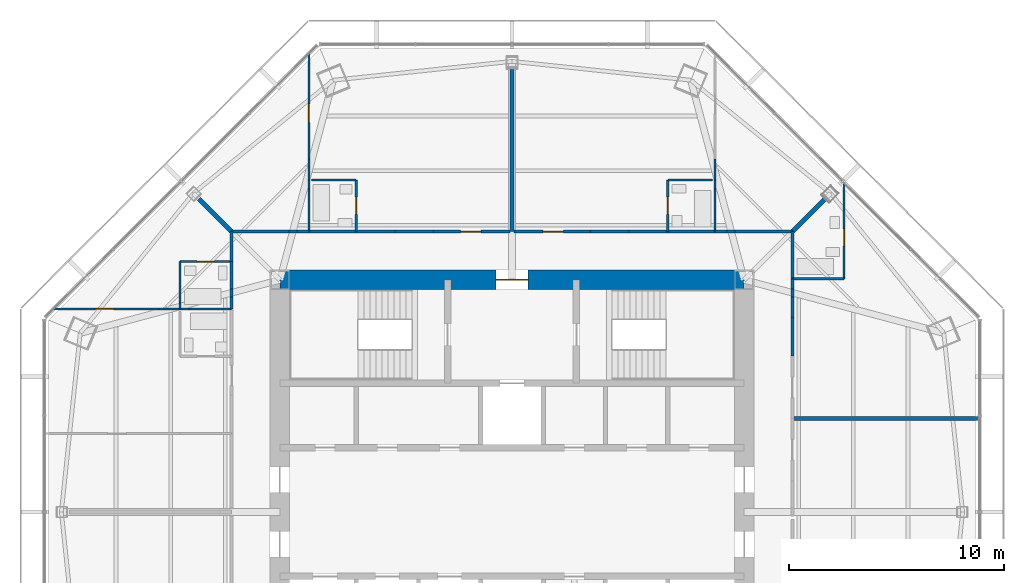
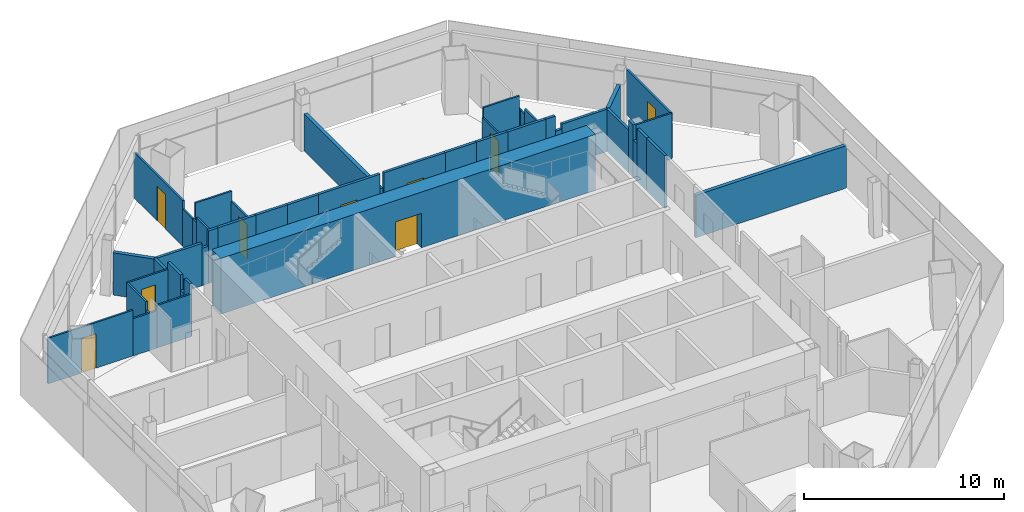
# One storey, part 12 of 15: 47 walls, 9 doors, 9 openings.
"""IFC4 building model written with IfcOpenShell, lengths in metres."""

from ifc_helpers import new_model, si_unit, direction, frame, frame_2d, origin, place, context, subcontext, project, spatial, rectangle, extrude, material, layer, layer_set, type_object, element, fill, save


model = new_model("IFC4")

# Units and contexts
model_context = context("Model", 3, precision=1e-05, world=origin(), true_north=direction((0.0, 1.0)))
body_context = subcontext(model_context, "Body", "Model", "MODEL_VIEW")
ifc_project = project(units=[si_unit("LENGTHUNIT", "METRE"), si_unit("AREAUNIT", "SQUARE_METRE"), si_unit("VOLUMEUNIT", "CUBIC_METRE"), si_unit("PLANEANGLEUNIT", "RADIAN"), si_unit("MASSUNIT", "GRAM", prefix="KILO")], contexts=[model_context])

# Site, building, storey
site_placement = place(None, origin())
site = spatial("IfcSite", under=ifc_project, at=site_placement, CompositionType="ELEMENT")
building_placement = place(site_placement, origin())
building = spatial("IfcBuilding", under=site, at=building_placement, Name="Mashrafa Tower", CompositionType="ELEMENT")
storey_placement = place(building_placement, frame((0.0, 0.0, 221.0)))
storey = spatial("IfcBuildingStorey", under=building, at=storey_placement, Name="L51", CompositionType="ELEMENT", Elevation=221.0)

# Walls
ifc_material_1 = material(Name="Gypsum board on steel studs", Category="steel")
ifc_layer_1 = layer(ifc_material_1, 0.199951171875)
ifc_layer_set_1 = layer_set([ifc_layer_1], Name="Acoustic partition 200 1 hr")
wall_type_1 = type_object("IfcWallType", Name="Acoustic partition 200 1 hr", PredefinedType="PARTITIONING", material=ifc_layer_set_1)
wall_1_placement = place(storey_placement, frame((21.744873046875, 4.35009765625, 0.0), z_axis=(0.0, 0.0, 1.0), x_axis=(-1.0, 0.0, 0.0)))
element("IfcWall", 1, at=wall_1_placement, inside=storey, type_object=wall_type_1, Name="Acoustic wall L51-068", PredefinedType="PARTITIONING", context=body_context, shape_type="SweptSolid", body=[
    extrude(rectangle(XDim=8.69482421875, YDim=0.199951171875, at=frame_2d((4.347412109375, 0.0))), origin(), (0.0, 0.0, 1.0), 2.590576171875),
])
wall_2_placement = place(storey_placement, frame((14.564697265625, 14.564697265625, 0.0), z_axis=(0.0, 0.0, 1.0), x_axis=(-0.707106781187, -0.707106781187, 0.0)))
element("IfcWall", 2, at=wall_2_placement, inside=storey, type_object=wall_type_1, Name="Acoustic wall L51-071", PredefinedType="PARTITIONING", context=body_context, shape_type="SweptSolid", body=[
    extrude(rectangle(XDim=2.14208984375, YDim=0.199951171875, at=frame_2d((1.071044921875, 0.0))), origin(), (0.0, 0.0, 1.0), 2.577880859375),
])
wall_3_placement = place(storey_placement, frame((0.0, 20.59765625, 0.0), z_axis=(0.0, 0.0, 1.0), x_axis=(0.0, -1.0, 0.0)))
element("IfcWall", 3, at=wall_3_placement, inside=storey, type_object=wall_type_1, Name="Acoustic wall L51-078", PredefinedType="PARTITIONING", context=body_context, shape_type="SweptSolid", body=[
    extrude(rectangle(XDim=7.547607421875, YDim=0.199951171875, at=frame_2d((3.77392578125, 0.0))), origin(), (0.0, 0.0, 1.0), 2.2529296875),
])
wall_4_placement = place(storey_placement, frame((-14.564697265625, 14.564697265625, 0.0), z_axis=(0.0, 0.0, 1.0), x_axis=(0.707106781187, -0.707106781187, 0.0)))
element("IfcWall", 4, at=wall_4_placement, inside=storey, type_object=wall_type_1, Name="Acoustic wall L51-083", PredefinedType="PARTITIONING", context=body_context, shape_type="SweptSolid", body=[
    extrude(rectangle(XDim=2.14208984375, YDim=0.199951171875, at=frame_2d((1.071044921875, 0.0))), origin(), (0.0, 0.0, 1.0), 2.577880859375),
])

# Wall, opening, door
ifc_material_2 = material(Name="Concrete C50/60", Category="concrete")
ifc_layer_2 = layer(ifc_material_2, 0.89990234375)
ifc_layer_set_2 = layer_set([ifc_layer_2], Name="Core wall 900 C50/60")
wall_type_2 = type_object("IfcWallType", Name="Core wall 900 C50/60", PredefinedType="SOLIDWALL", material=ifc_layer_set_2)
wall_5_placement = place(storey_placement, frame((10.800048828125, 10.800048828125, 0.0), z_axis=(0.0, 0.0, 1.0), x_axis=(-1.0, 0.0, 0.0)))
wall_5 = element("IfcWall", 5, at=wall_5_placement, inside=storey, type_object=wall_type_2, Name="Core wall CW-N L51", PredefinedType="SOLIDWALL", context=body_context, shape_type="SweptSolid", body=[
    extrude(rectangle(XDim=21.60009765625, YDim=0.89990234375, at=frame_2d((10.800048828125, 0.0))), origin(), (0.0, 0.0, 1.0), 3.39990234375),
])
opening_1_placement = place(wall_5_placement, frame((10.050048828125, 0.0, 0.0)))
opening_1 = element("IfcOpeningElement", 6, at=opening_1_placement, cuts=wall_5, Name="Opening 51.034", PredefinedType="OPENING", context=body_context, shape_type="SweptSolid", body=[
    extrude(rectangle(XDim=1.5, YDim=2.10009765625, at=frame_2d((0.75, 1.050048828125))), frame((0.0, 0.4599609375, 0.0), z_axis=(0.0, -1.0, 0.0), x_axis=(1.0, 0.0, 0.0)), (0.0, 0.0, 1.0), 0.919921875),
])
ifc_material_3 = material(Name="Steel door", Category="steel")
door_type_1 = type_object("IfcDoorType", Name="Lobby door pair 1500 x 2100 90 min", OperationType="DOUBLE_DOOR_SINGLE_SWING", PredefinedType="DOOR", material=ifc_material_3)
door_1_placement = place(opening_1_placement, origin())
door_1 = element("IfcDoor", 7, at=door_1_placement, inside=storey, type_object=door_type_1, Name="Fire-fighting lobby F1 door L51", OperationType="DOUBLE_DOOR_SINGLE_SWING", OverallHeight=2.10009765625, OverallWidth=1.5, PredefinedType="DOOR", context=body_context, shape_type="SweptSolid", body=[
    extrude(rectangle(XDim=1.5, YDim=2.10009765625, at=frame_2d((0.75, 1.050048828125))), frame((0.0, 0.02490234375, 0.0), z_axis=(0.0, -1.0, 0.0), x_axis=(1.0, 0.0, 0.0)), (0.0, 0.0, 1.0), 0.050048828125),
])
fill(opening_1, door_1)

# Walls
ifc_material_4 = material(Name="Gypsum board on steel studs", Category="steel")
ifc_layer_3 = layer(ifc_material_4, 0.14990234375)
ifc_layer_set_3 = layer_set([ifc_layer_3], Name="Corridor partition 150 1 hr")
wall_type_3 = type_object("IfcWallType", Name="Corridor partition 150 1 hr", PredefinedType="PARTITIONING", material=ifc_layer_set_3)
wall_6_placement = place(storey_placement, frame((13.050048828125, 10.84912109375, 0.0), z_axis=(0.0, 0.0, 1.0), x_axis=(0.0, 1.0, 0.0)))
element("IfcWall", 8, at=wall_6_placement, inside=storey, type_object=wall_type_3, Name="Corridor wall L51-012", PredefinedType="PARTITIONING", context=body_context, shape_type="SweptSolid", body=[
    extrude(rectangle(XDim=2.200927734375, YDim=0.14990234375, at=frame_2d((1.1005859375, 0.0))), origin(), (0.0, 0.0, 1.0), 2.577880859375),
])
wall_7_placement = place(storey_placement, frame((13.050048828125, 7.2490234375, 0.0), z_axis=(0.0, 0.0, 1.0), x_axis=(0.0, 1.0, 0.0)))
element("IfcWall", 9, at=wall_7_placement, inside=storey, type_object=wall_type_3, Name="Corridor wall L51-013", PredefinedType="PARTITIONING", context=body_context, shape_type="SweptSolid", body=[
    extrude(rectangle(XDim=1.802001953125, YDim=0.14990234375, at=frame_2d((0.90087890625, 0.0))), origin(), (0.0, 0.0, 1.0), 3.199951171875),
])
wall_8_placement = place(storey_placement, frame((13.050048828125, 9.049072265625, 0.0), z_axis=(0.0, 0.0, 1.0), x_axis=(0.0, 1.0, 0.0)))
element("IfcWall", 10, at=wall_8_placement, inside=storey, type_object=wall_type_3, Name="Corridor wall L51-015", PredefinedType="PARTITIONING", context=body_context, shape_type="SweptSolid", body=[
    extrude(rectangle(XDim=0.945556640625, YDim=0.14990234375, at=frame_2d((0.47265625, 0.0))), origin(), (0.0, 0.0, 1.0), 3.199951171875),
])
wall_9_placement = place(storey_placement, frame((13.050048828125, 10.372802734375, 0.0), z_axis=(0.0, 0.0, 1.0), x_axis=(0.0, 1.0, 0.0)))
element("IfcWall", 11, at=wall_9_placement, inside=storey, type_object=wall_type_3, Name="Corridor wall L51-016", PredefinedType="PARTITIONING", context=body_context, shape_type="SweptSolid", body=[
    extrude(rectangle(XDim=0.478271484375, YDim=0.14990234375, at=frame_2d((0.2392578125, 0.0))), origin(), (0.0, 0.0, 1.0), 3.199951171875),
])
wall_10_placement = place(storey_placement, frame((13.050048828125, 9.99462890625, 0.0), z_axis=(0.0, 0.0, 1.0), x_axis=(0.0, 1.0, 0.0)))
element("IfcWall", 12, at=wall_10_placement, inside=storey, type_object=wall_type_3, Name="Corridor wall L51-017", PredefinedType="PARTITIONING", context=body_context, shape_type="SweptSolid", body=[
    extrude(rectangle(XDim=0.378173828125, YDim=0.14990234375, at=frame_2d((0.18896484375, 0.0))), origin(), (0.0, 0.0, 1.0), 2.26806640625),
])
wall_11_placement = place(storey_placement, frame((13.050048828125, 13.050048828125, 0.0), z_axis=(0.0, 0.0, 1.0), x_axis=(-1.0, 0.0, 0.0)))
element("IfcWall", 13, at=wall_11_placement, inside=storey, type_object=wall_type_3, Name="Corridor wall L51-018", PredefinedType="PARTITIONING", context=body_context, shape_type="SweptSolid", body=[
    extrude(rectangle(XDim=2.67724609375, YDim=0.14990234375, at=frame_2d((1.338623046875, 0.0))), origin(), (0.0, 0.0, 1.0), 2.577880859375),
])
wall_12_placement = place(storey_placement, frame((9.99462890625, 13.050048828125, 0.0), z_axis=(0.0, 0.0, 1.0), x_axis=(-1.0, 0.0, 0.0)))
element("IfcWall", 14, at=wall_12_placement, inside=storey, type_object=wall_type_3, Name="Corridor wall L51-019", PredefinedType="PARTITIONING", context=body_context, shape_type="SweptSolid", body=[
    extrude(rectangle(XDim=0.545654296875, YDim=0.14990234375, at=frame_2d((0.27294921875, 0.0))), origin(), (0.0, 0.0, 1.0), 3.199951171875),
])
wall_13_placement = place(storey_placement, frame((10.372802734375, 13.050048828125, 0.0), z_axis=(0.0, 0.0, 1.0), x_axis=(-1.0, 0.0, 0.0)))
element("IfcWall", 15, at=wall_13_placement, inside=storey, type_object=wall_type_3, Name="Corridor wall L51-020", PredefinedType="PARTITIONING", context=body_context, shape_type="SweptSolid", body=[
    extrude(rectangle(XDim=0.378173828125, YDim=0.14990234375, at=frame_2d((0.18896484375, 0.0))), origin(), (0.0, 0.0, 1.0), 2.26806640625),
])
wall_14_placement = place(storey_placement, frame((9.450927734375, 13.050048828125, 0.0), z_axis=(0.0, 0.0, 1.0), x_axis=(-1.0, 0.0, 0.0)))
element("IfcWall", 16, at=wall_14_placement, inside=storey, type_object=wall_type_3, Name="Corridor wall L51-021", PredefinedType="PARTITIONING", context=body_context, shape_type="SweptSolid", body=[
    extrude(rectangle(XDim=2.201904296875, YDim=0.14990234375, at=frame_2d((1.10107421875, 0.0))), origin(), (0.0, 0.0, 1.0), 3.199951171875),
])
wall_15_placement = place(storey_placement, frame((5.450927734375, 13.050048828125, 0.0), z_axis=(0.0, 0.0, 1.0), x_axis=(-1.0, 0.0, 0.0)))
element("IfcWall", 17, at=wall_15_placement, inside=storey, type_object=wall_type_3, Name="Corridor wall L51-022", PredefinedType="PARTITIONING", context=body_context, shape_type="SweptSolid", body=[
    extrude(rectangle(XDim=1.802001953125, YDim=0.14990234375, at=frame_2d((0.90087890625, 0.0))), origin(), (0.0, 0.0, 1.0), 3.199951171875),
])

# Wall, opening, door
wall_16_placement = place(storey_placement, frame((3.65087890625, 13.050048828125, 0.0), z_axis=(0.0, 0.0, 1.0), x_axis=(-1.0, 0.0, 0.0)))
wall_16 = element("IfcWall", 18, at=wall_16_placement, inside=storey, type_object=wall_type_3, Name="Corridor wall L51-023", PredefinedType="PARTITIONING", context=body_context, shape_type="SweptSolid", body=[
    extrude(rectangle(XDim=3.548828125, YDim=0.14990234375, at=frame_2d((1.7744140625, 0.0))), origin(), (0.0, 0.0, 1.0), 3.199951171875),
])
opening_2_placement = place(wall_16_placement, frame((1.2587890625, 0.0, 0.0)))
opening_2 = element("IfcOpeningElement", 19, at=opening_2_placement, cuts=wall_16, Name="Opening 51.009", PredefinedType="OPENING", context=body_context, shape_type="SweptSolid", body=[
    extrude(rectangle(XDim=0.949951171875, YDim=2.10009765625, at=frame_2d((0.47509765625, 1.050048828125))), frame((0.0, 0.0849609375, 0.0), z_axis=(0.0, -1.0, 0.0), x_axis=(1.0, 0.0, 0.0)), (0.0, 0.0, 1.0), 0.169921875),
])
ifc_material_5 = material(Name="Steel door", Category="steel")
door_type_2 = type_object("IfcDoorType", Name="Residence entrance door 950 x 2100 20 min", OperationType="USERDEFINED", PredefinedType="DOOR", material=ifc_material_5)
door_2_placement = place(opening_2_placement, frame((0.949951171875, 0.0, 0.0), z_axis=(0.0, 0.0, 1.0), x_axis=(-1.0, 0.0, 0.0)))
door_2 = element("IfcDoor", 20, at=door_2_placement, inside=storey, type_object=door_type_2, Name="Apartment 5104 Living Room door", OperationType="SINGLE_SWING_RIGHT", OverallHeight=2.10009765625, OverallWidth=0.949951171875, PredefinedType="DOOR", context=body_context, shape_type="SweptSolid", body=[
    extrude(rectangle(XDim=0.949951171875, YDim=2.10009765625, at=frame_2d((0.47509765625, 1.050048828125))), frame((0.0, 0.02490234375, 0.0), z_axis=(0.0, -1.0, 0.0), x_axis=(1.0, 0.0, 0.0)), (0.0, 0.0, 1.0), 0.050048828125),
])
fill(opening_2, door_2)

# Walls
wall_17_placement = place(storey_placement, frame((7.2509765625, 13.050048828125, 0.0), z_axis=(0.0, 0.0, 1.0), x_axis=(-1.0, 0.0, 0.0)))
element("IfcWall", 21, at=wall_17_placement, inside=storey, type_object=wall_type_3, Name="Corridor wall L51-024", PredefinedType="PARTITIONING", context=body_context, shape_type="SweptSolid", body=[
    extrude(rectangle(XDim=1.802001953125, YDim=0.14990234375, at=frame_2d((0.90087890625, 0.0))), origin(), (0.0, 0.0, 1.0), 3.199951171875),
])
wall_18_placement = place(storey_placement, frame((-9.448974609375, 13.050048828125, 0.0), z_axis=(0.0, 0.0, 1.0), x_axis=(-1.0, 0.0, 0.0)))
element("IfcWall", 22, at=wall_18_placement, inside=storey, type_object=wall_type_3, Name="Corridor wall L51-025", PredefinedType="PARTITIONING", context=body_context, shape_type="SweptSolid", body=[
    extrude(rectangle(XDim=0.545654296875, YDim=0.14990234375, at=frame_2d((0.27294921875, 0.0))), origin(), (0.0, 0.0, 1.0), 3.199951171875),
])
wall_19_placement = place(storey_placement, frame((-10.372802734375, 13.050048828125, 0.0), z_axis=(0.0, 0.0, 1.0), x_axis=(-1.0, 0.0, 0.0)))
element("IfcWall", 23, at=wall_19_placement, inside=storey, type_object=wall_type_3, Name="Corridor wall L51-026", PredefinedType="PARTITIONING", context=body_context, shape_type="SweptSolid", body=[
    extrude(rectangle(XDim=2.67724609375, YDim=0.14990234375, at=frame_2d((1.338623046875, 0.0))), origin(), (0.0, 0.0, 1.0), 2.577880859375),
])
wall_20_placement = place(storey_placement, frame((-9.99462890625, 13.050048828125, 0.0), z_axis=(0.0, 0.0, 1.0), x_axis=(-1.0, 0.0, 0.0)))
element("IfcWall", 24, at=wall_20_placement, inside=storey, type_object=wall_type_3, Name="Corridor wall L51-027", PredefinedType="PARTITIONING", context=body_context, shape_type="SweptSolid", body=[
    extrude(rectangle(XDim=0.378173828125, YDim=0.14990234375, at=frame_2d((0.18896484375, 0.0))), origin(), (0.0, 0.0, 1.0), 2.26806640625),
])
wall_21_placement = place(storey_placement, frame((-7.2490234375, 13.050048828125, 0.0), z_axis=(0.0, 0.0, 1.0), x_axis=(-1.0, 0.0, 0.0)))
element("IfcWall", 25, at=wall_21_placement, inside=storey, type_object=wall_type_3, Name="Corridor wall L51-028", PredefinedType="PARTITIONING", context=body_context, shape_type="SweptSolid", body=[
    extrude(rectangle(XDim=2.201904296875, YDim=0.14990234375, at=frame_2d((1.10107421875, 0.0))), origin(), (0.0, 0.0, 1.0), 3.199951171875),
])
for number, where, z_axis, x_axis, name in (
    (26, (-3.64892578125, 13.050048828125, 0.0), (0.0, 0.0, 1.0), (-1.0, 0.0, 0.0), "Corridor wall L51-029"),
    (27, (-5.448974609375, 13.050048828125, 0.0), (0.0, 0.0, 1.0), (-1.0, 0.0, 0.0), "Corridor wall L51-030"),
):
    element("IfcWall", number, at=place(storey_placement, frame(where, z_axis=z_axis, x_axis=x_axis)), inside=storey, type_object=wall_type_3, Name=name, PredefinedType="PARTITIONING", context=body_context, shape_type="SweptSolid", body=[
        extrude(rectangle(XDim=1.802001953125, YDim=0.14990234375, at=frame_2d((0.90087890625, 0.0))), origin(), (0.0, 0.0, 1.0), 3.199951171875),
    ])

# Wall, opening, door
wall_22_placement = place(storey_placement, frame((-0.10205078125, 13.050048828125, 0.0), z_axis=(0.0, 0.0, 1.0), x_axis=(-1.0, 0.0, 0.0)))
wall_22 = element("IfcWall", 28, at=wall_22_placement, inside=storey, type_object=wall_type_3, Name="Corridor wall L51-031", PredefinedType="PARTITIONING", context=body_context, shape_type="SweptSolid", body=[
    extrude(rectangle(XDim=3.548828125, YDim=0.14990234375, at=frame_2d((1.7744140625, 0.0))), origin(), (0.0, 0.0, 1.0), 3.199951171875),
])
opening_3_placement = place(wall_22_placement, frame((1.34033203125, 0.0, 0.0)))
opening_3 = element("IfcOpeningElement", 29, at=opening_3_placement, cuts=wall_22, Name="Opening 51.012", PredefinedType="OPENING", context=body_context, shape_type="SweptSolid", body=[
    extrude(rectangle(XDim=0.949951171875, YDim=2.10009765625, at=frame_2d((0.47509765625, 1.050048828125))), frame((0.0, 0.0849609375, 0.0), z_axis=(0.0, -1.0, 0.0), x_axis=(1.0, 0.0, 0.0)), (0.0, 0.0, 1.0), 0.169921875),
])
door_3_placement = place(opening_3_placement, frame((0.949951171875, 0.0, 0.0), z_axis=(0.0, 0.0, 1.0), x_axis=(-1.0, 0.0, 0.0)))
door_3 = element("IfcDoor", 30, at=door_3_placement, inside=storey, type_object=door_type_2, Name="Apartment 5105 Living Room door", OperationType="SINGLE_SWING_LEFT", OverallHeight=2.10009765625, OverallWidth=0.949951171875, PredefinedType="DOOR", context=body_context, shape_type="SweptSolid", body=[
    extrude(rectangle(XDim=0.949951171875, YDim=2.10009765625, at=frame_2d((0.47509765625, 1.050048828125))), frame((0.0, 0.02490234375, 0.0), z_axis=(0.0, -1.0, 0.0), x_axis=(1.0, 0.0, 0.0)), (0.0, 0.0, 1.0), 0.050048828125),
])
fill(opening_3, door_3)

# Walls
wall_23_placement = place(storey_placement, frame((-13.050048828125, 11.65087890625, 0.0), z_axis=(0.0, 0.0, 1.0), x_axis=(0.0, -1.0, 0.0)))
element("IfcWall", 31, at=wall_23_placement, inside=storey, type_object=wall_type_3, Name="Corridor wall L51-032", PredefinedType="PARTITIONING", context=body_context, shape_type="SweptSolid", body=[
    extrude(rectangle(XDim=1.278076171875, YDim=0.14990234375, at=frame_2d((0.63916015625, 0.0))), origin(), (0.0, 0.0, 1.0), 3.199951171875),
])
wall_24_placement = place(storey_placement, frame((-13.050048828125, 9.99462890625, 0.0), z_axis=(0.0, 0.0, 1.0), x_axis=(0.0, -1.0, 0.0)))
element("IfcWall", 32, at=wall_24_placement, inside=storey, type_object=wall_type_3, Name="Corridor wall L51-033", PredefinedType="PARTITIONING", context=body_context, shape_type="SweptSolid", body=[
    extrude(rectangle(XDim=0.545654296875, YDim=0.14990234375, at=frame_2d((0.27294921875, 0.0))), origin(), (0.0, 0.0, 1.0), 3.199951171875),
])
wall_25_placement = place(storey_placement, frame((-13.050048828125, 10.372802734375, 0.0), z_axis=(0.0, 0.0, 1.0), x_axis=(0.0, -1.0, 0.0)))
element("IfcWall", 33, at=wall_25_placement, inside=storey, type_object=wall_type_3, Name="Corridor wall L51-034", PredefinedType="PARTITIONING", context=body_context, shape_type="SweptSolid", body=[
    extrude(rectangle(XDim=0.378173828125, YDim=0.14990234375, at=frame_2d((0.18896484375, 0.0))), origin(), (0.0, 0.0, 1.0), 2.26806640625),
])
wall_26_placement = place(storey_placement, frame((-13.050048828125, 13.050048828125, 0.0), z_axis=(0.0, 0.0, 1.0), x_axis=(0.0, -1.0, 0.0)))
element("IfcWall", 34, at=wall_26_placement, inside=storey, type_object=wall_type_3, Name="Corridor wall L51-035", PredefinedType="PARTITIONING", context=body_context, shape_type="SweptSolid", body=[
    extrude(rectangle(XDim=1.401123046875, YDim=0.14990234375, at=frame_2d((0.70068359375, 0.0))), origin(), (0.0, 0.0, 1.0), 2.577880859375),
])
ifc_material_6 = material(Name="Gypsum board on steel studs", Category="steel")
ifc_layer_4 = layer(ifc_material_6, 0.10009765625)
ifc_layer_set_4 = layer_set([ifc_layer_4], Name="Partition 100")
wall_type_4 = type_object("IfcWallType", Name="Partition 100", PredefinedType="PARTITIONING", material=ifc_layer_set_4)
wall_27_placement = place(storey_placement, frame((13.050048828125, 10.85009765625, 0.0), z_axis=(0.0, 0.0, 1.0), x_axis=(1.0, 0.0, 0.0)))
element("IfcWall", 35, at=wall_27_placement, inside=storey, type_object=wall_type_4, Name="Partition wall L51-069", PredefinedType="PARTITIONING", context=body_context, shape_type="SweptSolid", body=[
    extrude(rectangle(XDim=2.39990234375, YDim=0.10009765625, at=frame_2d((1.199951171875, 0.0))), origin(), (0.0, 0.0, 1.0), 2.7861328125),
])

# Wall, opening, door
wall_28_placement = place(storey_placement, frame((15.449951171875, 10.85009765625, 0.0), z_axis=(0.0, 0.0, 1.0), x_axis=(0.0, 1.0, 0.0)))
wall_28 = element("IfcWall", 36, at=wall_28_placement, inside=storey, type_object=wall_type_4, Name="Partition wall L51-070", PredefinedType="PARTITIONING", context=body_context, shape_type="SweptSolid", body=[
    extrude(rectangle(XDim=4.45556640625, YDim=0.10009765625, at=frame_2d((2.227783203125, 0.0))), origin(), (0.0, 0.0, 1.0), 2.78369140625),
])
opening_4_placement = place(wall_28_placement, frame((1.5205078125, 0.0, 0.0)))
opening_4 = element("IfcOpeningElement", 37, at=opening_4_placement, cuts=wall_28, Name="Opening 51.005", PredefinedType="OPENING", context=body_context, shape_type="SweptSolid", body=[
    extrude(rectangle(XDim=0.800048828125, YDim=2.10009765625, at=frame_2d((0.39990234375, 1.050048828125))), frame((0.0, 0.06005859375, 0.0), z_axis=(0.0, -1.0, 0.0), x_axis=(1.0, 0.0, 0.0)), (0.0, 0.0, 1.0), 0.1201171875),
])
ifc_material_7 = material(Name="Timber door", Category="wood")
door_type_3 = type_object("IfcDoorType", Name="Bathroom door 800 x 2100", OperationType="USERDEFINED", PredefinedType="DOOR", material=ifc_material_7)
door_4_placement = place(opening_4_placement, origin())
door_4 = element("IfcDoor", 38, at=door_4_placement, inside=storey, type_object=door_type_3, Name="Apartment 5103 Bathroom door", OperationType="SINGLE_SWING_RIGHT", OverallHeight=2.10009765625, OverallWidth=0.800048828125, PredefinedType="DOOR", context=body_context, shape_type="SweptSolid", body=[
    extrude(rectangle(XDim=0.800048828125, YDim=2.10009765625, at=frame_2d((0.39990234375, 1.050048828125))), frame((0.0, 0.02490234375, 0.0), z_axis=(0.0, -1.0, 0.0), x_axis=(1.0, 0.0, 0.0)), (0.0, 0.0, 1.0), 0.050048828125),
])
fill(opening_4, door_4)

# Walls
wall_29_placement = place(storey_placement, frame((9.449951171875, 15.038818359375, 0.0), z_axis=(0.0, 0.0, 1.0), x_axis=(0.0, -1.0, 0.0)))
element("IfcWall", 39, at=wall_29_placement, inside=storey, type_object=wall_type_4, Name="Partition wall L51-072", PredefinedType="PARTITIONING", context=body_context, shape_type="SweptSolid", body=[
    extrude(rectangle(XDim=1.98876953125, YDim=0.10009765625, at=frame_2d((0.994384765625, 0.0))), origin(), (0.0, 0.0, 1.0), 2.590576171875),
])
wall_30_placement = place(storey_placement, frame((9.449951171875, 15.450927734375, 0.0), z_axis=(0.0, 0.0, 1.0), x_axis=(0.0, -1.0, 0.0)))
element("IfcWall", 40, at=wall_30_placement, inside=storey, type_object=wall_type_4, Name="Partition wall L51-073", PredefinedType="PARTITIONING", context=body_context, shape_type="SweptSolid", body=[
    extrude(rectangle(XDim=0.412109375, YDim=0.10009765625, at=frame_2d((0.2060546875, 0.0))), origin(), (0.0, 0.0, 1.0), 2.26806640625),
])
wall_31_placement = place(storey_placement, frame((9.449951171875, 16.419677734375, 0.0), z_axis=(0.0, 0.0, 1.0), x_axis=(0.0, -1.0, 0.0)))
element("IfcWall", 41, at=wall_31_placement, inside=storey, type_object=wall_type_4, Name="Partition wall L51-075", PredefinedType="PARTITIONING", context=body_context, shape_type="SweptSolid", body=[
    extrude(rectangle(XDim=0.970703125, YDim=0.10009765625, at=frame_2d((0.4853515625, 0.0))), origin(), (0.0, 0.0, 1.0), 2.26806640625),
])
wall_32_placement = place(storey_placement, frame((9.33740234375, 15.449951171875, 0.0), z_axis=(0.0, 0.0, 1.0), x_axis=(-1.0, 0.0, 0.0)))
element("IfcWall", 42, at=wall_32_placement, inside=storey, type_object=wall_type_4, Name="Partition wall L51-076", PredefinedType="PARTITIONING", context=body_context, shape_type="SweptSolid", body=[
    extrude(rectangle(XDim=2.08740234375, YDim=0.10009765625, at=frame_2d((1.043701171875, 0.0))), origin(), (0.0, 0.0, 1.0), 3.199951171875),
])

# Wall, opening, door
wall_33_placement = place(storey_placement, frame((7.25, 15.449951171875, 0.0), z_axis=(0.0, 0.0, 1.0), x_axis=(0.0, -1.0, 0.0)))
wall_33 = element("IfcWall", 43, at=wall_33_placement, inside=storey, type_object=wall_type_4, Name="Partition wall L51-077", PredefinedType="PARTITIONING", context=body_context, shape_type="SweptSolid", body=[
    extrude(rectangle(XDim=2.39990234375, YDim=0.10009765625, at=frame_2d((1.199951171875, 0.0))), origin(), (0.0, 0.0, 1.0), 2.590576171875),
])
opening_5_placement = place(wall_33_placement, frame((0.800048828125, 0.0, 0.0)))
opening_5 = element("IfcOpeningElement", 44, at=opening_5_placement, cuts=wall_33, Name="Opening 51.008", PredefinedType="OPENING", context=body_context, shape_type="SweptSolid", body=[
    extrude(rectangle(XDim=0.800048828125, YDim=2.10009765625, at=frame_2d((0.39990234375, 1.050048828125))), frame((0.0, 0.06005859375, 0.0), z_axis=(0.0, -1.0, 0.0), x_axis=(1.0, 0.0, 0.0)), (0.0, 0.0, 1.0), 0.1201171875),
])
door_5_placement = place(opening_5_placement, origin())
door_5 = element("IfcDoor", 45, at=door_5_placement, inside=storey, type_object=door_type_3, Name="Apartment 5104 Bathroom door", OperationType="SINGLE_SWING_RIGHT", OverallHeight=2.10009765625, OverallWidth=0.800048828125, PredefinedType="DOOR", context=body_context, shape_type="SweptSolid", body=[
    extrude(rectangle(XDim=0.800048828125, YDim=2.10009765625, at=frame_2d((0.39990234375, 1.050048828125))), frame((0.0, 0.02490234375, 0.0), z_axis=(0.0, -1.0, 0.0), x_axis=(1.0, 0.0, 0.0)), (0.0, 0.0, 1.0), 0.050048828125),
])
fill(opening_5, door_5)

# Walls
wall_34_placement = place(storey_placement, frame((-9.449951171875, 13.050048828125, 0.0), z_axis=(0.0, 0.0, 1.0), x_axis=(0.0, 1.0, 0.0)))
element("IfcWall", 46, at=wall_34_placement, inside=storey, type_object=wall_type_4, Name="Partition wall L51-079", PredefinedType="PARTITIONING", context=body_context, shape_type="SweptSolid", body=[
    extrude(rectangle(XDim=1.98876953125, YDim=0.10009765625, at=frame_2d((0.994384765625, 0.0))), origin(), (0.0, 0.0, 1.0), 2.590576171875),
])
wall_35_placement = place(storey_placement, frame((-9.449951171875, 15.038818359375, 0.0), z_axis=(0.0, 0.0, 1.0), x_axis=(0.0, 1.0, 0.0)))
element("IfcWall", 47, at=wall_35_placement, inside=storey, type_object=wall_type_4, Name="Partition wall L51-080", PredefinedType="PARTITIONING", context=body_context, shape_type="SweptSolid", body=[
    extrude(rectangle(XDim=0.412109375, YDim=0.10009765625, at=frame_2d((0.2060546875, 0.0))), origin(), (0.0, 0.0, 1.0), 2.26806640625),
])

# Wall, opening, door
wall_36_placement = place(storey_placement, frame((-9.449951171875, 16.419677734375, 0.0), z_axis=(0.0, 0.0, 1.0), x_axis=(0.0, 1.0, 0.0)))
wall_36 = element("IfcWall", 48, at=wall_36_placement, inside=storey, type_object=wall_type_4, Name="Partition wall L51-081", PredefinedType="PARTITIONING", context=body_context, shape_type="SweptSolid", body=[
    extrude(rectangle(XDim=4.885986328125, YDim=0.10009765625, at=frame_2d((2.44287109375, 0.0))), origin(), (0.0, 0.0, 1.0), 2.78369140625),
])
opening_6_placement = place(wall_36_placement, frame((1.710693359375, 0.0, 0.0)))
opening_6 = element("IfcOpeningElement", 49, at=opening_6_placement, cuts=wall_36, Name="Opening 51.010", PredefinedType="OPENING", context=body_context, shape_type="SweptSolid", body=[
    extrude(rectangle(XDim=0.85009765625, YDim=2.10009765625, at=frame_2d((0.425048828125, 1.050048828125))), frame((0.0, 0.06005859375, 0.0), z_axis=(0.0, -1.0, 0.0), x_axis=(1.0, 0.0, 0.0)), (0.0, 0.0, 1.0), 0.1201171875),
])
ifc_material_8 = material(Name="Timber door", Category="wood")
door_type_4 = type_object("IfcDoorType", Name="Bedroom door 850 x 2100", OperationType="USERDEFINED", PredefinedType="DOOR", material=ifc_material_8)
door_6_placement = place(opening_6_placement, origin())
door_6 = element("IfcDoor", 50, at=door_6_placement, inside=storey, type_object=door_type_4, Name="Apartment 5105 Bedroom 1 door", OperationType="SINGLE_SWING_RIGHT", OverallHeight=2.10009765625, OverallWidth=0.85009765625, PredefinedType="DOOR", context=body_context, shape_type="SweptSolid", body=[
    extrude(rectangle(XDim=0.85009765625, YDim=2.10009765625, at=frame_2d((0.425048828125, 1.050048828125))), frame((0.0, 0.02490234375, 0.0), z_axis=(0.0, -1.0, 0.0), x_axis=(1.0, 0.0, 0.0)), (0.0, 0.0, 1.0), 0.050048828125),
])
fill(opening_6, door_6)

# Wall
wall_37_placement = place(storey_placement, frame((-9.449951171875, 15.448974609375, 0.0), z_axis=(0.0, 0.0, 1.0), x_axis=(0.0, 1.0, 0.0)))
element("IfcWall", 51, at=wall_37_placement, inside=storey, type_object=wall_type_4, Name="Partition wall L51-082", PredefinedType="PARTITIONING", context=body_context, shape_type="SweptSolid", body=[
    extrude(rectangle(XDim=0.970703125, YDim=0.10009765625, at=frame_2d((0.4853515625, 0.0))), origin(), (0.0, 0.0, 1.0), 2.26806640625),
])

# Wall, opening, door
wall_38_placement = place(storey_placement, frame((-7.25, 13.050048828125, 0.0), z_axis=(0.0, 0.0, 1.0), x_axis=(0.0, 1.0, 0.0)))
wall_38 = element("IfcWall", 52, at=wall_38_placement, inside=storey, type_object=wall_type_4, Name="Partition wall L51-084", PredefinedType="PARTITIONING", context=body_context, shape_type="SweptSolid", body=[
    extrude(rectangle(XDim=2.39990234375, YDim=0.10009765625, at=frame_2d((1.199951171875, 0.0))), origin(), (0.0, 0.0, 1.0), 2.590576171875),
])
opening_7_placement = place(wall_38_placement, frame((0.800048828125, 0.0, 0.0)))
opening_7 = element("IfcOpeningElement", 53, at=opening_7_placement, cuts=wall_38, Name="Opening 51.011", PredefinedType="OPENING", context=body_context, shape_type="SweptSolid", body=[
    extrude(rectangle(XDim=0.800048828125, YDim=2.10009765625, at=frame_2d((0.39990234375, 1.050048828125))), frame((0.0, 0.06005859375, 0.0), z_axis=(0.0, -1.0, 0.0), x_axis=(1.0, 0.0, 0.0)), (0.0, 0.0, 1.0), 0.1201171875),
])
door_7_placement = place(opening_7_placement, origin())
door_7 = element("IfcDoor", 54, at=door_7_placement, inside=storey, type_object=door_type_3, Name="Apartment 5105 Bathroom door", OperationType="SINGLE_SWING_LEFT", OverallHeight=2.10009765625, OverallWidth=0.800048828125, PredefinedType="DOOR", context=body_context, shape_type="SweptSolid", body=[
    extrude(rectangle(XDim=0.800048828125, YDim=2.10009765625, at=frame_2d((0.39990234375, 1.050048828125))), frame((0.0, 0.02490234375, 0.0), z_axis=(0.0, -1.0, 0.0), x_axis=(1.0, 0.0, 0.0)), (0.0, 0.0, 1.0), 0.050048828125),
])
fill(opening_7, door_7)

# Wall
wall_39_placement = place(storey_placement, frame((-7.25, 15.449951171875, 0.0), z_axis=(0.0, 0.0, 1.0), x_axis=(-1.0, 0.0, 0.0)))
element("IfcWall", 55, at=wall_39_placement, inside=storey, type_object=wall_type_4, Name="Partition wall L51-085", PredefinedType="PARTITIONING", context=body_context, shape_type="SweptSolid", body=[
    extrude(rectangle(XDim=2.08740234375, YDim=0.10009765625, at=frame_2d((1.043701171875, 0.0))), origin(), (0.0, 0.0, 1.0), 3.199951171875),
])

# Wall, opening, door
wall_40_placement = place(storey_placement, frame((-13.050048828125, 11.64990234375, 0.0), z_axis=(0.0, 0.0, 1.0), x_axis=(-1.0, 0.0, 0.0)))
wall_40 = element("IfcWall", 56, at=wall_40_placement, inside=storey, type_object=wall_type_4, Name="Partition wall L51-086", PredefinedType="PARTITIONING", context=body_context, shape_type="SweptSolid", body=[
    extrude(rectangle(XDim=2.39990234375, YDim=0.10009765625, at=frame_2d((1.199951171875, 0.0))), origin(), (0.0, 0.0, 1.0), 2.7861328125),
])
opening_8_placement = place(wall_40_placement, frame((0.800048828125, 0.0, 0.0)))
opening_8 = element("IfcOpeningElement", 57, at=opening_8_placement, cuts=wall_40, Name="Opening 51.013", PredefinedType="OPENING", context=body_context, shape_type="SweptSolid", body=[
    extrude(rectangle(XDim=0.800048828125, YDim=2.10009765625, at=frame_2d((0.39990234375, 1.050048828125))), frame((0.0, 0.06005859375, 0.0), z_axis=(0.0, -1.0, 0.0), x_axis=(1.0, 0.0, 0.0)), (0.0, 0.0, 1.0), 0.1201171875),
])
door_8_placement = place(opening_8_placement, origin())
door_8 = element("IfcDoor", 58, at=door_8_placement, inside=storey, type_object=door_type_3, Name="Apartment 5106 En-suite Bathroom door", OperationType="SINGLE_SWING_RIGHT", OverallHeight=2.10009765625, OverallWidth=0.800048828125, PredefinedType="DOOR", context=body_context, shape_type="SweptSolid", body=[
    extrude(rectangle(XDim=0.800048828125, YDim=2.10009765625, at=frame_2d((0.39990234375, 1.050048828125))), frame((0.0, 0.02490234375, 0.0), z_axis=(0.0, -1.0, 0.0), x_axis=(1.0, 0.0, 0.0)), (0.0, 0.0, 1.0), 0.050048828125),
])
fill(opening_8, door_8)

# Walls
wall_41_placement = place(storey_placement, frame((-15.449951171875, 11.64990234375, 0.0), z_axis=(0.0, 0.0, 1.0), x_axis=(0.0, -1.0, 0.0)))
element("IfcWall", 59, at=wall_41_placement, inside=storey, type_object=wall_type_4, Name="Partition wall L51-087", PredefinedType="PARTITIONING", context=body_context, shape_type="SweptSolid", body=[
    extrude(rectangle(XDim=1.934326171875, YDim=0.10009765625, at=frame_2d((0.96728515625, 0.0))), origin(), (0.0, 0.0, 1.0), 2.7861328125),
])
wall_42_placement = place(storey_placement, frame((-15.449951171875, 9.715576171875, 0.0), z_axis=(0.0, 0.0, 1.0), x_axis=(0.0, -1.0, 0.0)))
element("IfcWall", 60, at=wall_42_placement, inside=storey, type_object=wall_type_4, Name="Partition wall L51-088", PredefinedType="PARTITIONING", context=body_context, shape_type="SweptSolid", body=[
    extrude(rectangle(XDim=0.265625, YDim=0.10009765625, at=frame_2d((0.1328125, 0.0))), origin(), (0.0, 0.0, 1.0), 2.26806640625),
])
wall_43_placement = place(storey_placement, frame((-15.038818359375, 9.449951171875, 0.0), z_axis=(0.0, 0.0, 1.0), x_axis=(1.0, 0.0, 0.0)))
element("IfcWall", 61, at=wall_43_placement, inside=storey, type_object=wall_type_4, Name="Partition wall L51-089", PredefinedType="PARTITIONING", context=body_context, shape_type="SweptSolid", body=[
    extrude(rectangle(XDim=1.98876953125, YDim=0.10009765625, at=frame_2d((0.994384765625, 0.0))), origin(), (0.0, 0.0, 1.0), 2.590576171875),
])
wall_44_placement = place(storey_placement, frame((-15.038818359375, 9.449951171875, 0.0), z_axis=(0.0, 0.0, 1.0), x_axis=(-1.0, 0.0, 0.0)))
element("IfcWall", 62, at=wall_44_placement, inside=storey, type_object=wall_type_4, Name="Partition wall L51-090", PredefinedType="PARTITIONING", context=body_context, shape_type="SweptSolid", body=[
    extrude(rectangle(XDim=1.380859375, YDim=0.10009765625, at=frame_2d((0.6904296875, 0.0))), origin(), (0.0, 0.0, 1.0), 2.26806640625),
])

# Wall, opening, door
wall_45_placement = place(storey_placement, frame((-21.3056640625, 9.449951171875, 0.0), z_axis=(0.0, 0.0, 1.0), x_axis=(1.0, 0.0, 0.0)))
wall_45 = element("IfcWall", 63, at=wall_45_placement, inside=storey, type_object=wall_type_4, Name="Partition wall L51-091", PredefinedType="PARTITIONING", context=body_context, shape_type="SweptSolid", body=[
    extrude(rectangle(XDim=4.885986328125, YDim=0.10009765625, at=frame_2d((2.44287109375, 0.0))), origin(), (0.0, 0.0, 1.0), 2.78369140625),
])
opening_9_placement = place(wall_45_placement, frame((1.9208984375, 0.0, 0.0)))
opening_9 = element("IfcOpeningElement", 64, at=opening_9_placement, cuts=wall_45, Name="Opening 51.014", PredefinedType="OPENING", context=body_context, shape_type="SweptSolid", body=[
    extrude(rectangle(XDim=0.85009765625, YDim=2.10009765625, at=frame_2d((0.425048828125, 1.050048828125))), frame((0.0, 0.06005859375, 0.0), z_axis=(0.0, -1.0, 0.0), x_axis=(1.0, 0.0, 0.0)), (0.0, 0.0, 1.0), 0.1201171875),
])
door_9_placement = place(opening_9_placement, origin())
door_9 = element("IfcDoor", 65, at=door_9_placement, inside=storey, type_object=door_type_4, Name="Apartment 5106 Bedroom 1 door", OperationType="SINGLE_SWING_LEFT", OverallHeight=2.10009765625, OverallWidth=0.85009765625, PredefinedType="DOOR", context=body_context, shape_type="SweptSolid", body=[
    extrude(rectangle(XDim=0.85009765625, YDim=2.10009765625, at=frame_2d((0.425048828125, 1.050048828125))), frame((0.0, 0.02490234375, 0.0), z_axis=(0.0, -1.0, 0.0), x_axis=(1.0, 0.0, 0.0)), (0.0, 0.0, 1.0), 0.050048828125),
])
fill(opening_9, door_9)

save(model, "model.ifc")
